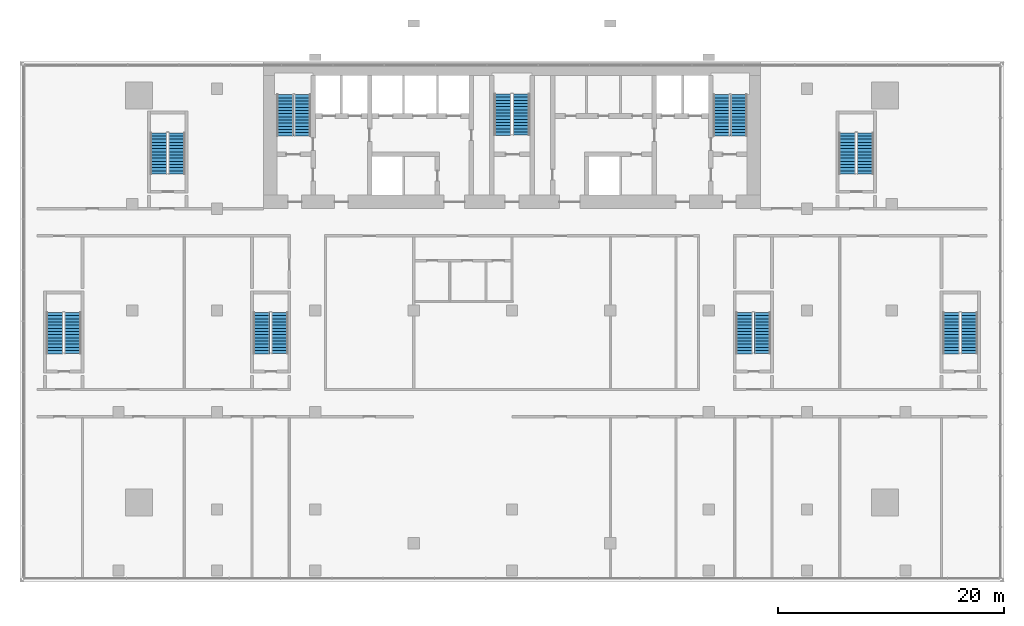
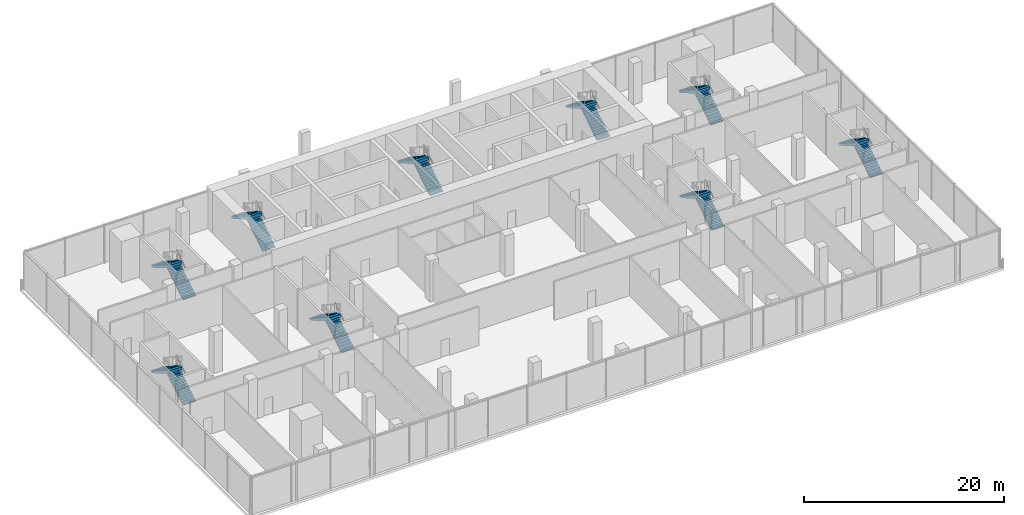
# One storey, part 16 of 20: 18 stair flights, 9 elements without a shape of their own.
"""IFC4 building model written with IfcOpenShell, lengths in metres."""

from ifc_helpers import new_model, si_unit, direction, frame, origin, place, context, subcontext, project, spatial, polyline, outline, extrude, material, type_object, element, aggregate, save


model = new_model("IFC4")

# Units and contexts
model_context = context("Model", 3, precision=1e-05, world=origin(), true_north=direction((0.0, 1.0)))
body_context = subcontext(model_context, "Body", "Model", "MODEL_VIEW")
ifc_project = project(units=[si_unit("LENGTHUNIT", "METRE"), si_unit("AREAUNIT", "SQUARE_METRE"), si_unit("VOLUMEUNIT", "CUBIC_METRE"), si_unit("PLANEANGLEUNIT", "RADIAN"), si_unit("MASSUNIT", "GRAM", prefix="KILO")], contexts=[model_context])

# Site, building, storey
site_placement = place(None, origin())
site = spatial("IfcSite", under=ifc_project, at=site_placement, CompositionType="ELEMENT")
building_placement = place(site_placement, origin())
building = spatial("IfcBuilding", under=site, at=building_placement, Name="Bicima Exchange Tower", CompositionType="ELEMENT")
storey_placement = place(building_placement, frame((0.0, 0.0, 25.0)))
storey = spatial("IfcBuildingStorey", under=building, at=storey_placement, Name="L04", CompositionType="ELEMENT", Elevation=25.0)

# Stair, stair flights
ifc_material = material(Name="Concrete C50/60", Category="concrete")
stair_type_1 = type_object("IfcStairType", Name="Exit stair", PredefinedType="HALF_TURN_STAIR", material=ifc_material)
stair_1_placement = place(storey_placement, origin())
stair_1 = element("IfcStair", 1, at=stair_1_placement, inside=storey, type_object=stair_type_1, Name="L04 West exit stair", PredefinedType="HALF_TURN_STAIR")
stair_flight_type_1 = type_object("IfcStairFlightType", Name="Stair flight RC", PredefinedType="STRAIGHT", material=ifc_material)
stair_flight_1_placement = place(storey_placement, frame((-18.52490234375, -6.550048828125, 0.0), z_axis=(0.0, 0.0, 1.0), x_axis=(0.0, 1.0, 0.0)))
stair_flight_1 = element("IfcStairFlight", 2, at=stair_flight_1_placement, type_object=stair_flight_type_1, Name="ST-W flight 1", NumberOfRisers=14, NumberOfTreads=13, PredefinedType="STRAIGHT", RiserHeight=0.178571429, TreadLength=0.28, context=body_context, shape_type="SweptSolid", body=[
    extrude(outline(polyline([(0.0, 0.0), (0.0, 0.178466796875), (0.280029296875, 0.178466796875), (0.280029296875, 0.357177734375), (0.56005859375, 0.357177734375), (0.56005859375, 0.53564453125), (0.840087890625, 0.53564453125), (0.840087890625, 0.71435546875), (1.1201171875, 0.71435546875), (1.1201171875, 0.892822265625), (1.39990234375, 0.892822265625), (1.39990234375, 1.071533203125), (1.679931640625, 1.071533203125), (1.679931640625, 1.25), (1.9599609375, 1.25), (1.9599609375, 1.428466796875), (2.239990234375, 1.428466796875), (2.239990234375, 1.607177734375), (2.52001953125, 1.607177734375), (2.52001953125, 1.78564453125), (2.800048828125, 1.78564453125), (2.800048828125, 1.96435546875), (3.080078125, 1.96435546875), (3.080078125, 2.142822265625), (3.360107421875, 2.142822265625), (3.360107421875, 2.321533203125), (3.639892578125, 2.321533203125), (3.639892578125, 2.5), (3.639892578125, 2.1435546875), (0.27880859375, 0.0), (0.0, 0.0)])), frame((0.0, 0.72509765625, 0.0), z_axis=(0.0, -1.0, 0.0), x_axis=(1.0, 0.0, 0.0)), (0.0, 0.0, 1.0), 1.449951171875),
])
stair_flight_2_placement = place(storey_placement, frame((-20.074951171875, -2.909912109375, 2.5), z_axis=(0.0, 0.0, 1.0), x_axis=(0.0, -1.0, 0.0)))
stair_flight_2 = element("IfcStairFlight", 3, at=stair_flight_2_placement, type_object=stair_flight_type_1, Name="ST-W flight 2", NumberOfRisers=14, NumberOfTreads=13, PredefinedType="STRAIGHT", RiserHeight=0.178571429, TreadLength=0.28, context=body_context, shape_type="SweptSolid", body=[
    extrude(outline(polyline([(0.0, 0.0), (0.0, 0.178466796875), (0.280029296875, 0.178466796875), (0.280029296875, 0.357177734375), (0.56005859375, 0.357177734375), (0.56005859375, 0.53564453125), (0.840087890625, 0.53564453125), (0.840087890625, 0.71435546875), (1.1201171875, 0.71435546875), (1.1201171875, 0.892822265625), (1.39990234375, 0.892822265625), (1.39990234375, 1.071533203125), (1.679931640625, 1.071533203125), (1.679931640625, 1.25), (1.9599609375, 1.25), (1.9599609375, 1.428466796875), (2.239990234375, 1.428466796875), (2.239990234375, 1.607177734375), (2.52001953125, 1.607177734375), (2.52001953125, 1.78564453125), (2.800048828125, 1.78564453125), (2.800048828125, 1.96435546875), (3.080078125, 1.96435546875), (3.080078125, 2.142822265625), (3.360107421875, 2.142822265625), (3.360107421875, 2.321533203125), (3.639892578125, 2.321533203125), (3.655029296875, 2.321533203125), (3.655029296875, 1.974609375), (0.27880859375, 0.0), (0.0, 0.0)])), frame((0.0, 0.72509765625, 0.0), z_axis=(0.0, -1.0, 0.0), x_axis=(1.0, 0.0, 0.0)), (0.0, 0.0, 1.0), 1.449951171875),
])
aggregate(stair_1, [stair_flight_1, stair_flight_2])

stair_2_placement = place(storey_placement, origin())
stair_2 = element("IfcStair", 4, at=stair_2_placement, inside=storey, type_object=stair_type_1, Name="L04 East exit stair", PredefinedType="HALF_TURN_STAIR")
stair_flight_3_placement = place(storey_placement, frame((20.074951171875, -6.550048828125, 0.0), z_axis=(0.0, 0.0, 1.0), x_axis=(0.0, 1.0, 0.0)))
stair_flight_3 = element("IfcStairFlight", 5, at=stair_flight_3_placement, type_object=stair_flight_type_1, Name="ST-E flight 1", NumberOfRisers=14, NumberOfTreads=13, PredefinedType="STRAIGHT", RiserHeight=0.178571429, TreadLength=0.28, context=body_context, shape_type="SweptSolid", body=[
    extrude(outline(polyline([(0.0, 0.0), (0.0, 0.178466796875), (0.280029296875, 0.178466796875), (0.280029296875, 0.357177734375), (0.56005859375, 0.357177734375), (0.56005859375, 0.53564453125), (0.840087890625, 0.53564453125), (0.840087890625, 0.71435546875), (1.1201171875, 0.71435546875), (1.1201171875, 0.892822265625), (1.39990234375, 0.892822265625), (1.39990234375, 1.071533203125), (1.679931640625, 1.071533203125), (1.679931640625, 1.25), (1.9599609375, 1.25), (1.9599609375, 1.428466796875), (2.239990234375, 1.428466796875), (2.239990234375, 1.607177734375), (2.52001953125, 1.607177734375), (2.52001953125, 1.78564453125), (2.800048828125, 1.78564453125), (2.800048828125, 1.96435546875), (3.080078125, 1.96435546875), (3.080078125, 2.142822265625), (3.360107421875, 2.142822265625), (3.360107421875, 2.321533203125), (3.639892578125, 2.321533203125), (3.639892578125, 2.5), (3.639892578125, 2.1435546875), (0.27880859375, 0.0), (0.0, 0.0)])), frame((0.0, 0.72509765625, 0.0), z_axis=(0.0, -1.0, 0.0), x_axis=(1.0, 0.0, 0.0)), (0.0, 0.0, 1.0), 1.449951171875),
])
stair_flight_4_placement = place(storey_placement, frame((18.52490234375, -2.909912109375, 2.5), z_axis=(0.0, 0.0, 1.0), x_axis=(0.0, -1.0, 0.0)))
stair_flight_4 = element("IfcStairFlight", 6, at=stair_flight_4_placement, type_object=stair_flight_type_1, Name="ST-E flight 2", NumberOfRisers=14, NumberOfTreads=13, PredefinedType="STRAIGHT", RiserHeight=0.178571429, TreadLength=0.28, context=body_context, shape_type="SweptSolid", body=[
    extrude(outline(polyline([(0.0, 0.0), (0.0, 0.178466796875), (0.280029296875, 0.178466796875), (0.280029296875, 0.357177734375), (0.56005859375, 0.357177734375), (0.56005859375, 0.53564453125), (0.840087890625, 0.53564453125), (0.840087890625, 0.71435546875), (1.1201171875, 0.71435546875), (1.1201171875, 0.892822265625), (1.39990234375, 0.892822265625), (1.39990234375, 1.071533203125), (1.679931640625, 1.071533203125), (1.679931640625, 1.25), (1.9599609375, 1.25), (1.9599609375, 1.428466796875), (2.239990234375, 1.428466796875), (2.239990234375, 1.607177734375), (2.52001953125, 1.607177734375), (2.52001953125, 1.78564453125), (2.800048828125, 1.78564453125), (2.800048828125, 1.96435546875), (3.080078125, 1.96435546875), (3.080078125, 2.142822265625), (3.360107421875, 2.142822265625), (3.360107421875, 2.321533203125), (3.639892578125, 2.321533203125), (3.655029296875, 2.321533203125), (3.655029296875, 1.974609375), (0.27880859375, 0.0), (0.0, 0.0)])), frame((0.0, 0.72509765625, 0.0), z_axis=(0.0, -1.0, 0.0), x_axis=(1.0, 0.0, 0.0)), (0.0, 0.0, 1.0), 1.449951171875),
])
aggregate(stair_2, [stair_flight_3, stair_flight_4])

stair_3_placement = place(storey_placement, origin())
stair_3 = element("IfcStair", 7, at=stair_3_placement, inside=storey, type_object=stair_type_1, Name="L04 West end exit stair", PredefinedType="HALF_TURN_STAIR")
stair_flight_5_placement = place(storey_placement, frame((-29.64990234375, -9.925048828125, 0.0), z_axis=(0.0, 0.0, 1.0), x_axis=(0.0, 1.0, 0.0)))
stair_flight_5 = element("IfcStairFlight", 8, at=stair_flight_5_placement, type_object=stair_flight_type_1, Name="ST-WW flight 1", NumberOfRisers=14, NumberOfTreads=13, PredefinedType="STRAIGHT", RiserHeight=0.178571429, TreadLength=0.28, context=body_context, shape_type="SweptSolid", body=[
    extrude(outline(polyline([(0.0, 0.0), (0.0, 0.178466796875), (0.280029296875, 0.178466796875), (0.280029296875, 0.357177734375), (0.56005859375, 0.357177734375), (0.56005859375, 0.53564453125), (0.840087890625, 0.53564453125), (0.840087890625, 0.71435546875), (1.1201171875, 0.71435546875), (1.1201171875, 0.892822265625), (1.39990234375, 0.892822265625), (1.39990234375, 1.071533203125), (1.679931640625, 1.071533203125), (1.679931640625, 1.25), (1.9599609375, 1.25), (1.9599609375, 1.428466796875), (2.239990234375, 1.428466796875), (2.239990234375, 1.607177734375), (2.52001953125, 1.607177734375), (2.52001953125, 1.78564453125), (2.800048828125, 1.78564453125), (2.800048828125, 1.96435546875), (3.080078125, 1.96435546875), (3.080078125, 2.142822265625), (3.360107421875, 2.142822265625), (3.360107421875, 2.321533203125), (3.639892578125, 2.321533203125), (3.639892578125, 2.5), (3.639892578125, 2.1435546875), (0.27880859375, 0.0), (0.0, 0.0)])), frame((0.0, 0.72509765625, 0.0), z_axis=(0.0, -1.0, 0.0), x_axis=(1.0, 0.0, 0.0)), (0.0, 0.0, 1.0), 1.449951171875),
])
stair_flight_6_placement = place(storey_placement, frame((-31.25, -6.284912109375, 2.5), z_axis=(0.0, 0.0, 1.0), x_axis=(0.0, -1.0, 0.0)))
stair_flight_6 = element("IfcStairFlight", 9, at=stair_flight_6_placement, type_object=stair_flight_type_1, Name="ST-WW flight 2", NumberOfRisers=14, NumberOfTreads=13, PredefinedType="STRAIGHT", RiserHeight=0.178571429, TreadLength=0.28, context=body_context, shape_type="SweptSolid", body=[
    extrude(outline(polyline([(0.0, 0.0), (0.0, 0.178466796875), (0.280029296875, 0.178466796875), (0.280029296875, 0.357177734375), (0.56005859375, 0.357177734375), (0.56005859375, 0.53564453125), (0.840087890625, 0.53564453125), (0.840087890625, 0.71435546875), (1.1201171875, 0.71435546875), (1.1201171875, 0.892822265625), (1.39990234375, 0.892822265625), (1.39990234375, 1.071533203125), (1.679931640625, 1.071533203125), (1.679931640625, 1.25), (1.9599609375, 1.25), (1.9599609375, 1.428466796875), (2.239990234375, 1.428466796875), (2.239990234375, 1.607177734375), (2.52001953125, 1.607177734375), (2.52001953125, 1.78564453125), (2.800048828125, 1.78564453125), (2.800048828125, 1.96435546875), (3.080078125, 1.96435546875), (3.080078125, 2.142822265625), (3.360107421875, 2.142822265625), (3.360107421875, 2.321533203125), (3.639892578125, 2.321533203125), (3.655029296875, 2.321533203125), (3.655029296875, 1.974609375), (0.27880859375, 0.0), (0.0, 0.0)])), frame((0.0, 0.72509765625, 0.0), z_axis=(0.0, -1.0, 0.0), x_axis=(1.0, 0.0, 0.0)), (0.0, 0.0, 1.0), 1.449951171875),
])
aggregate(stair_3, [stair_flight_5, stair_flight_6])

stair_4_placement = place(storey_placement, origin())
stair_4 = element("IfcStair", 10, at=stair_4_placement, inside=storey, type_object=stair_type_1, Name="L04 East end exit stair", PredefinedType="HALF_TURN_STAIR")
stair_flight_7_placement = place(storey_placement, frame((31.25, -9.925048828125, 0.0), z_axis=(0.0, 0.0, 1.0), x_axis=(0.0, 1.0, 0.0)))
stair_flight_7 = element("IfcStairFlight", 11, at=stair_flight_7_placement, type_object=stair_flight_type_1, Name="ST-EE flight 1", NumberOfRisers=14, NumberOfTreads=13, PredefinedType="STRAIGHT", RiserHeight=0.178571429, TreadLength=0.28, context=body_context, shape_type="SweptSolid", body=[
    extrude(outline(polyline([(0.0, 0.0), (0.0, 0.178466796875), (0.280029296875, 0.178466796875), (0.280029296875, 0.357177734375), (0.56005859375, 0.357177734375), (0.56005859375, 0.53564453125), (0.840087890625, 0.53564453125), (0.840087890625, 0.71435546875), (1.1201171875, 0.71435546875), (1.1201171875, 0.892822265625), (1.39990234375, 0.892822265625), (1.39990234375, 1.071533203125), (1.679931640625, 1.071533203125), (1.679931640625, 1.25), (1.9599609375, 1.25), (1.9599609375, 1.428466796875), (2.239990234375, 1.428466796875), (2.239990234375, 1.607177734375), (2.52001953125, 1.607177734375), (2.52001953125, 1.78564453125), (2.800048828125, 1.78564453125), (2.800048828125, 1.96435546875), (3.080078125, 1.96435546875), (3.080078125, 2.142822265625), (3.360107421875, 2.142822265625), (3.360107421875, 2.321533203125), (3.639892578125, 2.321533203125), (3.639892578125, 2.5), (3.639892578125, 2.1435546875), (0.27880859375, 0.0), (0.0, 0.0)])), frame((0.0, 0.72509765625, 0.0), z_axis=(0.0, -1.0, 0.0), x_axis=(1.0, 0.0, 0.0)), (0.0, 0.0, 1.0), 1.449951171875),
])
stair_flight_8_placement = place(storey_placement, frame((29.64990234375, -6.284912109375, 2.5), z_axis=(0.0, 0.0, 1.0), x_axis=(0.0, -1.0, 0.0)))
stair_flight_8 = element("IfcStairFlight", 12, at=stair_flight_8_placement, type_object=stair_flight_type_1, Name="ST-EE flight 2", NumberOfRisers=14, NumberOfTreads=13, PredefinedType="STRAIGHT", RiserHeight=0.178571429, TreadLength=0.28, context=body_context, shape_type="SweptSolid", body=[
    extrude(outline(polyline([(0.0, 0.0), (0.0, 0.178466796875), (0.280029296875, 0.178466796875), (0.280029296875, 0.357177734375), (0.56005859375, 0.357177734375), (0.56005859375, 0.53564453125), (0.840087890625, 0.53564453125), (0.840087890625, 0.71435546875), (1.1201171875, 0.71435546875), (1.1201171875, 0.892822265625), (1.39990234375, 0.892822265625), (1.39990234375, 1.071533203125), (1.679931640625, 1.071533203125), (1.679931640625, 1.25), (1.9599609375, 1.25), (1.9599609375, 1.428466796875), (2.239990234375, 1.428466796875), (2.239990234375, 1.607177734375), (2.52001953125, 1.607177734375), (2.52001953125, 1.78564453125), (2.800048828125, 1.78564453125), (2.800048828125, 1.96435546875), (3.080078125, 1.96435546875), (3.080078125, 2.142822265625), (3.360107421875, 2.142822265625), (3.360107421875, 2.321533203125), (3.639892578125, 2.321533203125), (3.655029296875, 2.321533203125), (3.655029296875, 1.974609375), (0.27880859375, 0.0), (0.0, 0.0)])), frame((0.0, 0.72509765625, 0.0), z_axis=(0.0, -1.0, 0.0), x_axis=(1.0, 0.0, 0.0)), (0.0, 0.0, 1.0), 1.449951171875),
])
aggregate(stair_4, [stair_flight_7, stair_flight_8])

stair_5_placement = place(storey_placement, origin())
stair_5 = element("IfcStair", 13, at=stair_5_placement, inside=storey, type_object=stair_type_1, Name="L04 Podium west stair", PredefinedType="HALF_TURN_STAIR")
stair_flight_9_placement = place(storey_placement, frame((-38.85009765625, -25.824951171875, 0.0), z_axis=(0.0, 0.0, 1.0), x_axis=(0.0, 1.0, 0.0)))
stair_flight_9 = element("IfcStairFlight", 14, at=stair_flight_9_placement, type_object=stair_flight_type_1, Name="PS-W flight 1", NumberOfRisers=14, NumberOfTreads=13, PredefinedType="STRAIGHT", RiserHeight=0.178571429, TreadLength=0.28, context=body_context, shape_type="SweptSolid", body=[
    extrude(outline(polyline([(0.0, 0.0), (0.0, 0.178466796875), (0.280029296875, 0.178466796875), (0.280029296875, 0.357177734375), (0.56005859375, 0.357177734375), (0.56005859375, 0.53564453125), (0.840087890625, 0.53564453125), (0.840087890625, 0.71435546875), (1.1201171875, 0.71435546875), (1.1201171875, 0.892822265625), (1.39990234375, 0.892822265625), (1.39990234375, 1.071533203125), (1.679931640625, 1.071533203125), (1.679931640625, 1.25), (1.9599609375, 1.25), (1.9599609375, 1.428466796875), (2.239990234375, 1.428466796875), (2.239990234375, 1.607177734375), (2.52001953125, 1.607177734375), (2.52001953125, 1.78564453125), (2.800048828125, 1.78564453125), (2.800048828125, 1.96435546875), (3.080078125, 1.96435546875), (3.080078125, 2.142822265625), (3.360107421875, 2.142822265625), (3.360107421875, 2.321533203125), (3.639892578125, 2.321533203125), (3.639892578125, 2.5), (3.639892578125, 2.1435546875), (0.27880859375, 0.0), (0.0, 0.0)])), frame((0.0, 0.72509765625, 0.0), z_axis=(0.0, -1.0, 0.0), x_axis=(1.0, 0.0, 0.0)), (0.0, 0.0, 1.0), 1.449951171875),
])
stair_flight_10_placement = place(storey_placement, frame((-40.449951171875, -22.18505859375, 2.5), z_axis=(0.0, 0.0, 1.0), x_axis=(0.0, -1.0, 0.0)))
stair_flight_10 = element("IfcStairFlight", 15, at=stair_flight_10_placement, type_object=stair_flight_type_1, Name="PS-W flight 2", NumberOfRisers=14, NumberOfTreads=13, PredefinedType="STRAIGHT", RiserHeight=0.178571429, TreadLength=0.28, context=body_context, shape_type="SweptSolid", body=[
    extrude(outline(polyline([(0.0, 0.0), (0.0, 0.178466796875), (0.280029296875, 0.178466796875), (0.280029296875, 0.357177734375), (0.56005859375, 0.357177734375), (0.56005859375, 0.53564453125), (0.840087890625, 0.53564453125), (0.840087890625, 0.71435546875), (1.1201171875, 0.71435546875), (1.1201171875, 0.892822265625), (1.39990234375, 0.892822265625), (1.39990234375, 1.071533203125), (1.679931640625, 1.071533203125), (1.679931640625, 1.25), (1.9599609375, 1.25), (1.9599609375, 1.428466796875), (2.239990234375, 1.428466796875), (2.239990234375, 1.607177734375), (2.52001953125, 1.607177734375), (2.52001953125, 1.78564453125), (2.800048828125, 1.78564453125), (2.800048828125, 1.96435546875), (3.080078125, 1.96435546875), (3.080078125, 2.142822265625), (3.360107421875, 2.142822265625), (3.360107421875, 2.321533203125), (3.639892578125, 2.321533203125), (3.655029296875, 2.321533203125), (3.655029296875, 1.974609375), (0.27880859375, 0.0), (0.0, 0.0)])), frame((0.0, 0.72509765625, 0.0), z_axis=(0.0, -1.0, 0.0), x_axis=(1.0, 0.0, 0.0)), (0.0, 0.0, 1.0), 1.449951171875),
])
aggregate(stair_5, [stair_flight_9, stair_flight_10])

stair_6_placement = place(storey_placement, origin())
stair_6 = element("IfcStair", 16, at=stair_6_placement, inside=storey, type_object=stair_type_1, Name="L04 Podium inner west stair", PredefinedType="HALF_TURN_STAIR")
stair_flight_11_placement = place(storey_placement, frame((-20.550048828125, -25.824951171875, 0.0), z_axis=(0.0, 0.0, 1.0), x_axis=(0.0, 1.0, 0.0)))
stair_flight_11 = element("IfcStairFlight", 17, at=stair_flight_11_placement, type_object=stair_flight_type_1, Name="PS-WI flight 1", NumberOfRisers=14, NumberOfTreads=13, PredefinedType="STRAIGHT", RiserHeight=0.178571429, TreadLength=0.28, context=body_context, shape_type="SweptSolid", body=[
    extrude(outline(polyline([(0.0, 0.0), (0.0, 0.178466796875), (0.280029296875, 0.178466796875), (0.280029296875, 0.357177734375), (0.56005859375, 0.357177734375), (0.56005859375, 0.53564453125), (0.840087890625, 0.53564453125), (0.840087890625, 0.71435546875), (1.1201171875, 0.71435546875), (1.1201171875, 0.892822265625), (1.39990234375, 0.892822265625), (1.39990234375, 1.071533203125), (1.679931640625, 1.071533203125), (1.679931640625, 1.25), (1.9599609375, 1.25), (1.9599609375, 1.428466796875), (2.239990234375, 1.428466796875), (2.239990234375, 1.607177734375), (2.52001953125, 1.607177734375), (2.52001953125, 1.78564453125), (2.800048828125, 1.78564453125), (2.800048828125, 1.96435546875), (3.080078125, 1.96435546875), (3.080078125, 2.142822265625), (3.360107421875, 2.142822265625), (3.360107421875, 2.321533203125), (3.639892578125, 2.321533203125), (3.639892578125, 2.5), (3.639892578125, 2.1435546875), (0.27880859375, 0.0), (0.0, 0.0)])), frame((0.0, 0.72509765625, 0.0), z_axis=(0.0, -1.0, 0.0), x_axis=(1.0, 0.0, 0.0)), (0.0, 0.0, 1.0), 1.449951171875),
])
stair_flight_12_placement = place(storey_placement, frame((-22.14990234375, -22.18505859375, 2.5), z_axis=(0.0, 0.0, 1.0), x_axis=(0.0, -1.0, 0.0)))
stair_flight_12 = element("IfcStairFlight", 18, at=stair_flight_12_placement, type_object=stair_flight_type_1, Name="PS-WI flight 2", NumberOfRisers=14, NumberOfTreads=13, PredefinedType="STRAIGHT", RiserHeight=0.178571429, TreadLength=0.28, context=body_context, shape_type="SweptSolid", body=[
    extrude(outline(polyline([(0.0, 0.0), (0.0, 0.178466796875), (0.280029296875, 0.178466796875), (0.280029296875, 0.357177734375), (0.56005859375, 0.357177734375), (0.56005859375, 0.53564453125), (0.840087890625, 0.53564453125), (0.840087890625, 0.71435546875), (1.1201171875, 0.71435546875), (1.1201171875, 0.892822265625), (1.39990234375, 0.892822265625), (1.39990234375, 1.071533203125), (1.679931640625, 1.071533203125), (1.679931640625, 1.25), (1.9599609375, 1.25), (1.9599609375, 1.428466796875), (2.239990234375, 1.428466796875), (2.239990234375, 1.607177734375), (2.52001953125, 1.607177734375), (2.52001953125, 1.78564453125), (2.800048828125, 1.78564453125), (2.800048828125, 1.96435546875), (3.080078125, 1.96435546875), (3.080078125, 2.142822265625), (3.360107421875, 2.142822265625), (3.360107421875, 2.321533203125), (3.639892578125, 2.321533203125), (3.655029296875, 2.321533203125), (3.655029296875, 1.974609375), (0.27880859375, 0.0), (0.0, 0.0)])), frame((0.0, 0.72509765625, 0.0), z_axis=(0.0, -1.0, 0.0), x_axis=(1.0, 0.0, 0.0)), (0.0, 0.0, 1.0), 1.449951171875),
])
aggregate(stair_6, [stair_flight_11, stair_flight_12])

stair_7_placement = place(storey_placement, origin())
stair_7 = element("IfcStair", 19, at=stair_7_placement, inside=storey, type_object=stair_type_1, Name="L04 Podium inner east stair", PredefinedType="HALF_TURN_STAIR")
stair_flight_13_placement = place(storey_placement, frame((22.14990234375, -25.824951171875, 0.0), z_axis=(0.0, 0.0, 1.0), x_axis=(0.0, 1.0, 0.0)))
stair_flight_13 = element("IfcStairFlight", 20, at=stair_flight_13_placement, type_object=stair_flight_type_1, Name="PS-EI flight 1", NumberOfRisers=14, NumberOfTreads=13, PredefinedType="STRAIGHT", RiserHeight=0.178571429, TreadLength=0.28, context=body_context, shape_type="SweptSolid", body=[
    extrude(outline(polyline([(0.0, 0.0), (0.0, 0.178466796875), (0.280029296875, 0.178466796875), (0.280029296875, 0.357177734375), (0.56005859375, 0.357177734375), (0.56005859375, 0.53564453125), (0.840087890625, 0.53564453125), (0.840087890625, 0.71435546875), (1.1201171875, 0.71435546875), (1.1201171875, 0.892822265625), (1.39990234375, 0.892822265625), (1.39990234375, 1.071533203125), (1.679931640625, 1.071533203125), (1.679931640625, 1.25), (1.9599609375, 1.25), (1.9599609375, 1.428466796875), (2.239990234375, 1.428466796875), (2.239990234375, 1.607177734375), (2.52001953125, 1.607177734375), (2.52001953125, 1.78564453125), (2.800048828125, 1.78564453125), (2.800048828125, 1.96435546875), (3.080078125, 1.96435546875), (3.080078125, 2.142822265625), (3.360107421875, 2.142822265625), (3.360107421875, 2.321533203125), (3.639892578125, 2.321533203125), (3.639892578125, 2.5), (3.639892578125, 2.1435546875), (0.27880859375, 0.0), (0.0, 0.0)])), frame((0.0, 0.72509765625, 0.0), z_axis=(0.0, -1.0, 0.0), x_axis=(1.0, 0.0, 0.0)), (0.0, 0.0, 1.0), 1.449951171875),
])
stair_flight_14_placement = place(storey_placement, frame((20.550048828125, -22.18505859375, 2.5), z_axis=(0.0, 0.0, 1.0), x_axis=(0.0, -1.0, 0.0)))
stair_flight_14 = element("IfcStairFlight", 21, at=stair_flight_14_placement, type_object=stair_flight_type_1, Name="PS-EI flight 2", NumberOfRisers=14, NumberOfTreads=13, PredefinedType="STRAIGHT", RiserHeight=0.178571429, TreadLength=0.28, context=body_context, shape_type="SweptSolid", body=[
    extrude(outline(polyline([(0.0, 0.0), (0.0, 0.178466796875), (0.280029296875, 0.178466796875), (0.280029296875, 0.357177734375), (0.56005859375, 0.357177734375), (0.56005859375, 0.53564453125), (0.840087890625, 0.53564453125), (0.840087890625, 0.71435546875), (1.1201171875, 0.71435546875), (1.1201171875, 0.892822265625), (1.39990234375, 0.892822265625), (1.39990234375, 1.071533203125), (1.679931640625, 1.071533203125), (1.679931640625, 1.25), (1.9599609375, 1.25), (1.9599609375, 1.428466796875), (2.239990234375, 1.428466796875), (2.239990234375, 1.607177734375), (2.52001953125, 1.607177734375), (2.52001953125, 1.78564453125), (2.800048828125, 1.78564453125), (2.800048828125, 1.96435546875), (3.080078125, 1.96435546875), (3.080078125, 2.142822265625), (3.360107421875, 2.142822265625), (3.360107421875, 2.321533203125), (3.639892578125, 2.321533203125), (3.655029296875, 2.321533203125), (3.655029296875, 1.974609375), (0.27880859375, 0.0), (0.0, 0.0)])), frame((0.0, 0.72509765625, 0.0), z_axis=(0.0, -1.0, 0.0), x_axis=(1.0, 0.0, 0.0)), (0.0, 0.0, 1.0), 1.449951171875),
])
aggregate(stair_7, [stair_flight_13, stair_flight_14])

stair_8_placement = place(storey_placement, origin())
stair_8 = element("IfcStair", 22, at=stair_8_placement, inside=storey, type_object=stair_type_1, Name="L04 Podium east stair", PredefinedType="HALF_TURN_STAIR")
stair_flight_15_placement = place(storey_placement, frame((40.449951171875, -25.824951171875, 0.0), z_axis=(0.0, 0.0, 1.0), x_axis=(0.0, 1.0, 0.0)))
stair_flight_15 = element("IfcStairFlight", 23, at=stair_flight_15_placement, type_object=stair_flight_type_1, Name="PS-E flight 1", NumberOfRisers=14, NumberOfTreads=13, PredefinedType="STRAIGHT", RiserHeight=0.178571429, TreadLength=0.28, context=body_context, shape_type="SweptSolid", body=[
    extrude(outline(polyline([(0.0, 0.0), (0.0, 0.178466796875), (0.280029296875, 0.178466796875), (0.280029296875, 0.357177734375), (0.56005859375, 0.357177734375), (0.56005859375, 0.53564453125), (0.840087890625, 0.53564453125), (0.840087890625, 0.71435546875), (1.1201171875, 0.71435546875), (1.1201171875, 0.892822265625), (1.39990234375, 0.892822265625), (1.39990234375, 1.071533203125), (1.679931640625, 1.071533203125), (1.679931640625, 1.25), (1.9599609375, 1.25), (1.9599609375, 1.428466796875), (2.239990234375, 1.428466796875), (2.239990234375, 1.607177734375), (2.52001953125, 1.607177734375), (2.52001953125, 1.78564453125), (2.800048828125, 1.78564453125), (2.800048828125, 1.96435546875), (3.080078125, 1.96435546875), (3.080078125, 2.142822265625), (3.360107421875, 2.142822265625), (3.360107421875, 2.321533203125), (3.639892578125, 2.321533203125), (3.639892578125, 2.5), (3.639892578125, 2.1435546875), (0.27880859375, 0.0), (0.0, 0.0)])), frame((0.0, 0.72509765625, 0.0), z_axis=(0.0, -1.0, 0.0), x_axis=(1.0, 0.0, 0.0)), (0.0, 0.0, 1.0), 1.449951171875),
])
stair_flight_16_placement = place(storey_placement, frame((38.85009765625, -22.18505859375, 2.5), z_axis=(0.0, 0.0, 1.0), x_axis=(0.0, -1.0, 0.0)))
stair_flight_16 = element("IfcStairFlight", 24, at=stair_flight_16_placement, type_object=stair_flight_type_1, Name="PS-E flight 2", NumberOfRisers=14, NumberOfTreads=13, PredefinedType="STRAIGHT", RiserHeight=0.178571429, TreadLength=0.28, context=body_context, shape_type="SweptSolid", body=[
    extrude(outline(polyline([(0.0, 0.0), (0.0, 0.178466796875), (0.280029296875, 0.178466796875), (0.280029296875, 0.357177734375), (0.56005859375, 0.357177734375), (0.56005859375, 0.53564453125), (0.840087890625, 0.53564453125), (0.840087890625, 0.71435546875), (1.1201171875, 0.71435546875), (1.1201171875, 0.892822265625), (1.39990234375, 0.892822265625), (1.39990234375, 1.071533203125), (1.679931640625, 1.071533203125), (1.679931640625, 1.25), (1.9599609375, 1.25), (1.9599609375, 1.428466796875), (2.239990234375, 1.428466796875), (2.239990234375, 1.607177734375), (2.52001953125, 1.607177734375), (2.52001953125, 1.78564453125), (2.800048828125, 1.78564453125), (2.800048828125, 1.96435546875), (3.080078125, 1.96435546875), (3.080078125, 2.142822265625), (3.360107421875, 2.142822265625), (3.360107421875, 2.321533203125), (3.639892578125, 2.321533203125), (3.655029296875, 2.321533203125), (3.655029296875, 1.974609375), (0.27880859375, 0.0), (0.0, 0.0)])), frame((0.0, 0.72509765625, 0.0), z_axis=(0.0, -1.0, 0.0), x_axis=(1.0, 0.0, 0.0)), (0.0, 0.0, 1.0), 1.449951171875),
])
aggregate(stair_8, [stair_flight_15, stair_flight_16])

stair_type_2 = type_object("IfcStairType", Name="Exit stair 1500", PredefinedType="HALF_TURN_STAIR", material=ifc_material)
stair_9_placement = place(storey_placement, origin())
stair_9 = element("IfcStair", 25, at=stair_9_placement, inside=storey, type_object=stair_type_2, Name="L04 Central exit stair", PredefinedType="HALF_TURN_STAIR")
stair_flight_type_2 = type_object("IfcStairFlightType", Name="Stair flight RC 1500", PredefinedType="STRAIGHT", material=ifc_material)
stair_flight_17_placement = place(storey_placement, frame((0.824951171875, -6.5, 0.0), z_axis=(0.0, 0.0, 1.0), x_axis=(0.0, 1.0, 0.0)))
stair_flight_17 = element("IfcStairFlight", 26, at=stair_flight_17_placement, type_object=stair_flight_type_2, Name="ST-C flight 1", NumberOfRisers=14, NumberOfTreads=13, PredefinedType="STRAIGHT", RiserHeight=0.178571429, TreadLength=0.28, context=body_context, shape_type="SweptSolid", body=[
    extrude(outline(polyline([(0.0, 0.0), (0.0, 0.178466796875), (0.280029296875, 0.178466796875), (0.280029296875, 0.357177734375), (0.56005859375, 0.357177734375), (0.56005859375, 0.53564453125), (0.840087890625, 0.53564453125), (0.840087890625, 0.71435546875), (1.1201171875, 0.71435546875), (1.1201171875, 0.892822265625), (1.39990234375, 0.892822265625), (1.39990234375, 1.071533203125), (1.679931640625, 1.071533203125), (1.679931640625, 1.25), (1.9599609375, 1.25), (1.9599609375, 1.428466796875), (2.239990234375, 1.428466796875), (2.239990234375, 1.607177734375), (2.52001953125, 1.607177734375), (2.52001953125, 1.78564453125), (2.800048828125, 1.78564453125), (2.800048828125, 1.96435546875), (3.080078125, 1.96435546875), (3.080078125, 2.142822265625), (3.360107421875, 2.142822265625), (3.360107421875, 2.321533203125), (3.639892578125, 2.321533203125), (3.639892578125, 2.5), (3.639892578125, 2.1435546875), (0.27880859375, 0.0), (0.0, 0.0)])), frame((0.0, 0.75, 0.0), z_axis=(0.0, -1.0, 0.0), x_axis=(1.0, 0.0, 0.0)), (0.0, 0.0, 1.0), 1.5),
])
stair_flight_18_placement = place(storey_placement, frame((-0.824951171875, -2.860107421875, 2.5), z_axis=(0.0, 0.0, 1.0), x_axis=(0.0, -1.0, 0.0)))
stair_flight_18 = element("IfcStairFlight", 27, at=stair_flight_18_placement, type_object=stair_flight_type_2, Name="ST-C flight 2", NumberOfRisers=14, NumberOfTreads=13, PredefinedType="STRAIGHT", RiserHeight=0.178571429, TreadLength=0.28, context=body_context, shape_type="SweptSolid", body=[
    extrude(outline(polyline([(0.0, 0.0), (0.0, 0.178466796875), (0.280029296875, 0.178466796875), (0.280029296875, 0.357177734375), (0.56005859375, 0.357177734375), (0.56005859375, 0.53564453125), (0.840087890625, 0.53564453125), (0.840087890625, 0.71435546875), (1.1201171875, 0.71435546875), (1.1201171875, 0.892822265625), (1.39990234375, 0.892822265625), (1.39990234375, 1.071533203125), (1.679931640625, 1.071533203125), (1.679931640625, 1.25), (1.9599609375, 1.25), (1.9599609375, 1.428466796875), (2.239990234375, 1.428466796875), (2.239990234375, 1.607177734375), (2.52001953125, 1.607177734375), (2.52001953125, 1.78564453125), (2.800048828125, 1.78564453125), (2.800048828125, 1.96435546875), (3.080078125, 1.96435546875), (3.080078125, 2.142822265625), (3.360107421875, 2.142822265625), (3.360107421875, 2.321533203125), (3.639892578125, 2.321533203125), (3.655029296875, 2.321533203125), (3.655029296875, 1.974609375), (0.27880859375, 0.0), (0.0, 0.0)])), frame((0.0, 0.75, 0.0), z_axis=(0.0, -1.0, 0.0), x_axis=(1.0, 0.0, 0.0)), (0.0, 0.0, 1.0), 1.5),
])
aggregate(stair_9, [stair_flight_17, stair_flight_18])

save(model, "model.ifc")
